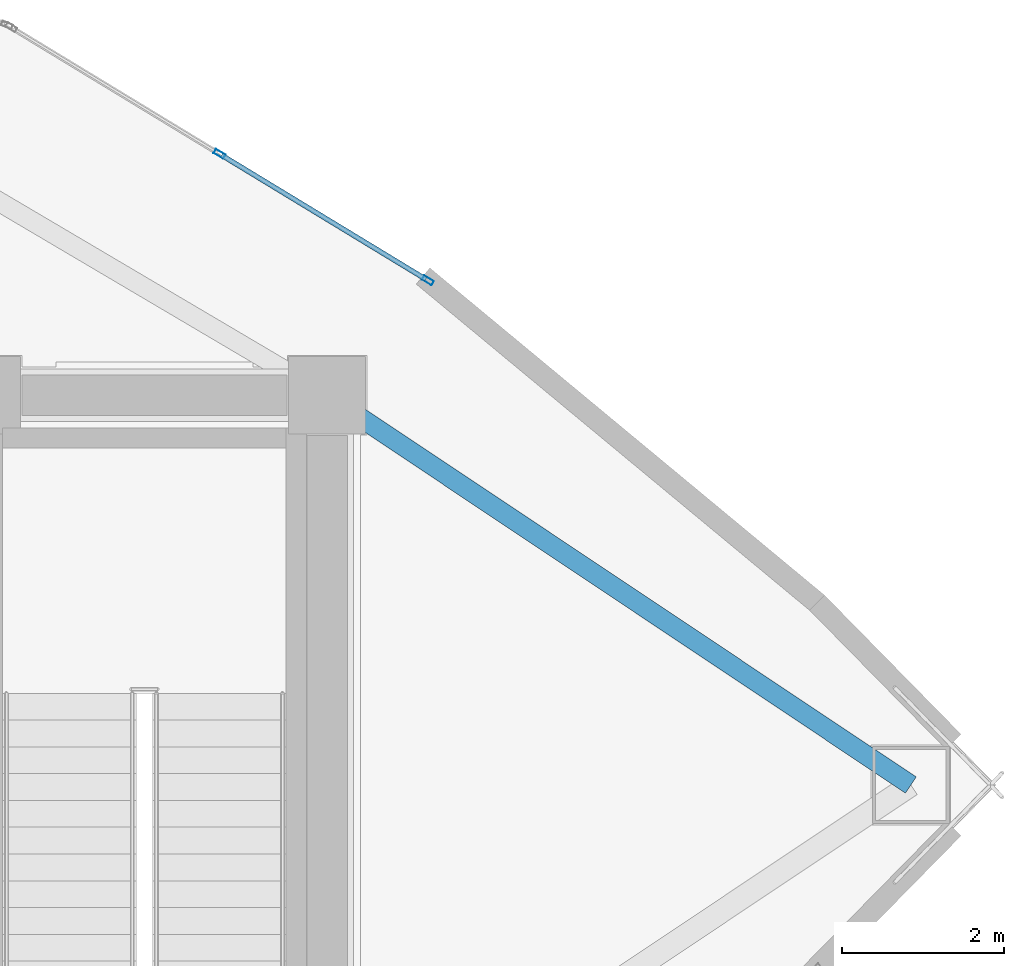
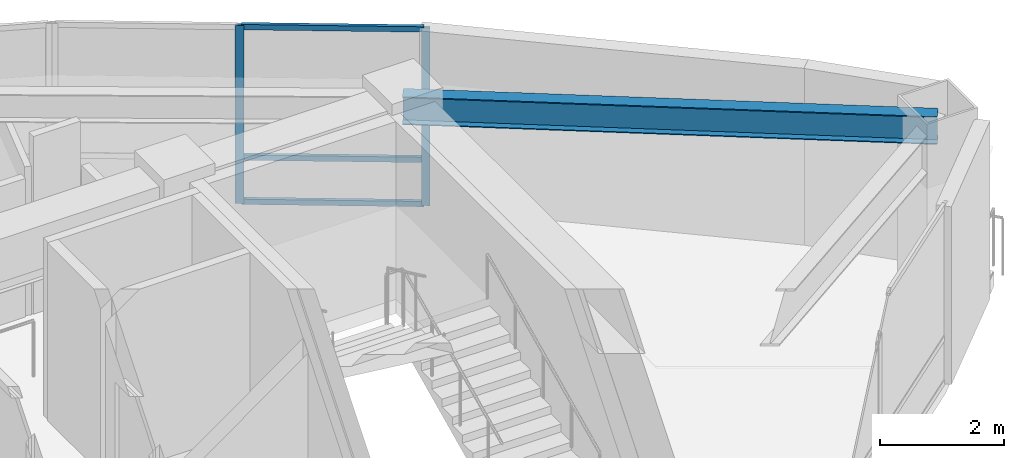
# One storey, part 11 of 17: 5 members, 1 beam, 1 element without a shape of its own.
"""IFC4 building model written with IfcOpenShell, lengths in metres."""

from ifc_helpers import new_model, si_unit, direction, frame, origin, origin_2d, place, context, subcontext, project, spatial, hollow_rectangle, i_section, extrude, material, layer, layer_set, material_profile, profile_set, type_object, element, aggregate, save


model = new_model("IFC4")

# Units and contexts
model_context = context("Model", 3, precision=1e-05, world=origin(), true_north=direction((0.0, 1.0)))
body_context = subcontext(model_context, "Body", "Model", "MODEL_VIEW")
ifc_project = project(units=[si_unit("LENGTHUNIT", "METRE"), si_unit("AREAUNIT", "SQUARE_METRE"), si_unit("VOLUMEUNIT", "CUBIC_METRE"), si_unit("PLANEANGLEUNIT", "RADIAN"), si_unit("MASSUNIT", "GRAM", prefix="KILO")], contexts=[model_context])

# Site, building, storey
site_placement = place(None, origin())
site = spatial("IfcSite", under=ifc_project, at=site_placement, CompositionType="ELEMENT")
building_placement = place(site_placement, origin())
building = spatial("IfcBuilding", under=site, at=building_placement, Name="Menara Vayukalpa", CompositionType="ELEMENT")
storey_placement = place(building_placement, frame((0.0, 0.0, 206.39990234375)))
storey = spatial("IfcBuildingStorey", under=building, at=storey_placement, Name="L52", CompositionType="ELEMENT", Elevation=206.39990234375)

# Beam
ifc_material_1 = material(Name="Steel S355", Category="steel")
ifc_material_profile_1 = material_profile(ifc_material_1, i_section(OverallWidth=0.239990234375, OverallDepth=0.550048828125, WebThickness=0.010986328125, FlangeThickness=0.01904296875, at=origin_2d()), Name="WF 550x240x11x19")
ifc_profile_set_1 = profile_set([ifc_material_profile_1], Name="Steel S355")
beam_type = type_object("IfcBeamType", Name="BM-SP2", PredefinedType="SPANDREL", material=ifc_profile_set_1)
beam_placement = place(storey_placement, frame((40.590576171875, 22.0, 3.22509765625), z_axis=(-0.831715622571, 0.555201876052, 0.0), x_axis=(-0.555201876052, -0.831715622571, 0.0)))
element("IfcBeam", 1, at=beam_placement, inside=storey, type_object=beam_type, Name="L52 Perimeter Spandrel Beam SP01", PredefinedType="SPANDREL", context=body_context, shape_type="SweptSolid", body=[
    extrude(i_section(OverallWidth=0.239990234375, OverallDepth=0.550048828125, WebThickness=0.010986328125, FlangeThickness=0.01904296875, at=origin_2d()), origin(), (0.0, 0.0, 1.0), 8.6455078125),
])

# Curtain wall, members
ifc_material_2 = material(Name="Anodised Terracotta Aluminium Alloy 6063-T6", Category="masonry")
ifc_layer = layer(ifc_material_2, 0.139892578125)
ifc_layer_set = layer_set([ifc_layer], Name="Anodised Terracotta Aluminium Alloy 6063-T6")
curtain_wall_type = type_object("IfcCurtainWallType", Name="CW-CW5", PredefinedType="USERDEFINED", material=ifc_layer_set)
curtain_wall_placement = place(storey_placement, origin())
curtain_wall = element("IfcCurtainWall", 2, at=curtain_wall_placement, inside=storey, type_object=curtain_wall_type, Name="L52 High Rise Tapered Curtain Wall CW5 04", ObjectType="UNITISED", PredefinedType="USERDEFINED")
ifc_material_3 = material(Name="Anodised Terracotta Aluminium Alloy 6063-T6", Category="masonry")
ifc_material_profile_2 = material_profile(ifc_material_3, hollow_rectangle(XDim=0.06005859375, YDim=0.139892578125, WallThickness=0.00341796875, at=origin_2d()), Name="ALU 60x140x3.5")
ifc_profile_set_2 = profile_set([ifc_material_profile_2], Name="Anodised Terracotta Aluminium Alloy 6063-T6")
member_type_1 = type_object("IfcMemberType", Name="CWM-CW5", PredefinedType="MULLION", material=ifc_profile_set_2)
member_1_placement = place(storey_placement, frame((34.6416015625, 28.21484375, 0.0), z_axis=(0.0, 0.0, 1.0), x_axis=(-0.519179911779, -0.854664974832, 0.0)))
member_1 = element("IfcMember", 3, at=member_1_placement, type_object=member_type_1, Name="CW5 mullion 1", PredefinedType="MULLION", context=body_context, shape_type="SweptSolid", body=[
    extrude(hollow_rectangle(XDim=0.06005859375, YDim=0.139892578125, WallThickness=0.00341796875, at=origin_2d()), origin(), (0.0, 0.0, 1.0), 3.5),
])
member_2_placement = place(storey_placement, frame((32.075439453125, 29.773681640625, 0.0), z_axis=(0.0, 0.0, 1.0), x_axis=(-0.519179911779, -0.854664974832, 0.0)))
member_2 = element("IfcMember", 4, at=member_2_placement, type_object=member_type_1, Name="CW5 mullion 2", PredefinedType="MULLION", context=body_context, shape_type="SweptSolid", body=[
    extrude(hollow_rectangle(XDim=0.06005859375, YDim=0.139892578125, WallThickness=0.00341796875, at=origin_2d()), origin(), (0.0, 0.0, 1.0), 3.5),
])
ifc_material_4 = material(Name="Anodised Terracotta Aluminium Alloy 6063-T6", Category="masonry")
ifc_material_profile_3 = material_profile(ifc_material_4, hollow_rectangle(XDim=0.06005859375, YDim=0.10498046875, WallThickness=0.0029296875, at=origin_2d()), Name="ALU 60x105x3")
ifc_profile_set_3 = profile_set([ifc_material_profile_3], Name="Anodised Terracotta Aluminium Alloy 6063-T6")
member_type_2 = type_object("IfcMemberType", Name="CWT-CW5", PredefinedType="USERDEFINED", material=ifc_profile_set_3)
member_3_placement = place(storey_placement, frame((34.615966796875, 28.23046875, 0.030029296875), z_axis=(-0.854683649113, 0.519149169255, 0.0), x_axis=(-0.519149169255, -0.854683649113, 0.0)))
member_3 = element("IfcMember", 5, at=member_3_placement, type_object=member_type_2, Name="CW5 transom 1.1", ObjectType="TRANSOM", PredefinedType="USERDEFINED", context=body_context, shape_type="SweptSolid", body=[
    extrude(hollow_rectangle(XDim=0.06005859375, YDim=0.10498046875, WallThickness=0.0029296875, at=origin_2d()), origin(), (0.0, 0.0, 1.0), 2.9423828125),
])
member_4_placement = place(storey_placement, frame((34.615966796875, 28.23046875, 0.900146484375), z_axis=(-0.854683649113, 0.519149169255, 0.0), x_axis=(-0.519149169255, -0.854683649113, 0.0)))
member_4 = element("IfcMember", 6, at=member_4_placement, type_object=member_type_2, Name="CW5 transom 1.2", ObjectType="TRANSOM", PredefinedType="USERDEFINED", context=body_context, shape_type="SweptSolid", body=[
    extrude(hollow_rectangle(XDim=0.06005859375, YDim=0.10498046875, WallThickness=0.0029296875, at=origin_2d()), origin(), (0.0, 0.0, 1.0), 2.9423828125),
])
member_5_placement = place(storey_placement, frame((34.615966796875, 28.23046875, 3.47021484375), z_axis=(-0.854683649113, 0.519149169255, 0.0), x_axis=(-0.519149169255, -0.854683649113, 0.0)))
member_5 = element("IfcMember", 7, at=member_5_placement, type_object=member_type_2, Name="CW5 transom 1.3", ObjectType="TRANSOM", PredefinedType="USERDEFINED", context=body_context, shape_type="SweptSolid", body=[
    extrude(hollow_rectangle(XDim=0.06005859375, YDim=0.10498046875, WallThickness=0.0029296875, at=origin_2d()), origin(), (0.0, 0.0, 1.0), 2.9423828125),
])
aggregate(curtain_wall, [member_1, member_2, member_3, member_4, member_5])

save(model, "model.ifc")
